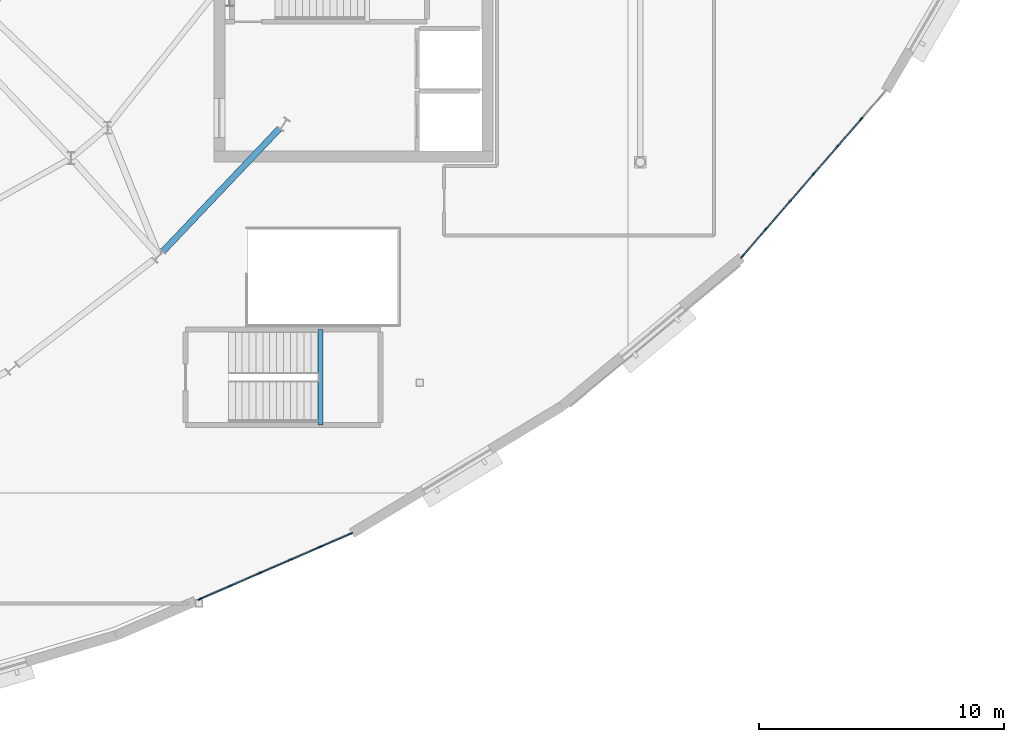
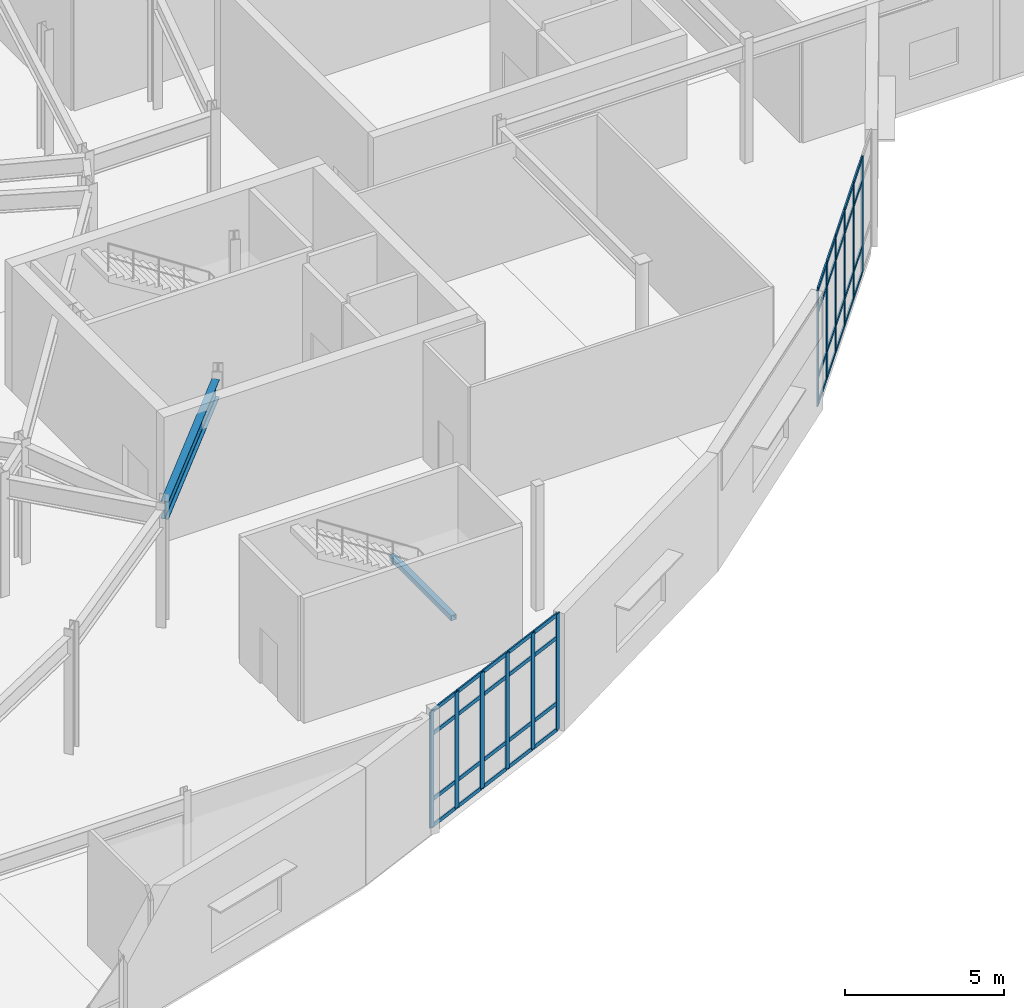
# One storey, part 48 of 86: 52 members, 2 beams, 2 elements without a shape of their own.
"""IFC4 building model written with IfcOpenShell, lengths in metres."""

from ifc_helpers import new_model, si_unit, direction, frame, origin, origin_2d, place, context, subcontext, project, spatial, rectangle, hollow_rectangle, i_section, extrude, material, material_profile, profile_set, type_object, element, aggregate, save


model = new_model("IFC4")

# Units and contexts
model_context = context("Model", 3, precision=1e-05, world=origin(), true_north=direction((0.0, 1.0)))
body_context = subcontext(model_context, "Body", "Model", "MODEL_VIEW")
ifc_project = project(units=[si_unit("LENGTHUNIT", "METRE"), si_unit("AREAUNIT", "SQUARE_METRE"), si_unit("VOLUMEUNIT", "CUBIC_METRE"), si_unit("PLANEANGLEUNIT", "RADIAN"), si_unit("MASSUNIT", "GRAM", prefix="KILO")], contexts=[model_context])

# Site, building, storey
site_placement = place(None, origin())
site = spatial("IfcSite", under=ifc_project, at=site_placement, CompositionType="ELEMENT")
building_placement = place(site_placement, origin())
building = spatial("IfcBuilding", under=site, at=building_placement, Name="Glasvene Arena", CompositionType="ELEMENT")
storey_placement = place(building_placement, frame((0.0, 0.0, 5.39990234375)))
storey = spatial("IfcBuildingStorey", under=building, at=storey_placement, Name="L01", CompositionType="ELEMENT", Elevation=5.39990234375)

# Beams
ifc_material_1 = material(Name="Steel S355J2", Category="steel")
ifc_material_profile_1 = material_profile(ifc_material_1, i_section(OverallWidth=0.253662109375, OverallDepth=0.68359375, WebThickness=0.012451171875, FlangeThickness=0.01904296875, FilletRadius=0.01513671875, at=origin_2d()), Name="UKB 686x254x140")
ifc_profile_set_1 = profile_set([ifc_material_profile_1], Name="Steel S355J2")
beam_type_1 = type_object("IfcBeamType", Name="BM-GIRD-686", PredefinedType="BEAM", material=ifc_profile_set_1)
beam_1_placement = place(storey_placement, frame((127.5205078125, 41.354248046875, 4.178466796875), z_axis=(0.688366558931, 0.725362999157, 0.0), x_axis=(-0.725362999157, 0.688366558931, 0.0)))
element("IfcBeam", 1, at=beam_1_placement, inside=storey, type_object=beam_type_1, Name="Bowl ring chord beam L01-36", PredefinedType="BEAM", context=body_context, shape_type="SweptSolid", body=[
    extrude(i_section(OverallWidth=0.253662109375, OverallDepth=0.68359375, WebThickness=0.012451171875, FlangeThickness=0.01904296875, FilletRadius=0.01513671875, at=origin_2d()), origin(), (0.0, 0.0, 1.0), 6.92236328125),
])
ifc_material_profile_2 = material_profile(ifc_material_1, hollow_rectangle(XDim=0.199951171875, YDim=0.199951171875, WallThickness=0.010009765625, at=origin_2d()), Name="SHS 200x200x10.0")
ifc_profile_set_2 = profile_set([ifc_material_profile_2], Name="Steel S355J2")
beam_type_2 = type_object("IfcBeamType", Name="BM-LINTEL-200", PredefinedType="LINTEL", material=ifc_profile_set_2)
beam_2_placement = place(storey_placement, frame((133.9599609375, 34.280029296875, 2.080078125), z_axis=(0.0, 1.0, 0.0), x_axis=(-1.0, 0.0, 0.0)))
element("IfcBeam", 2, at=beam_2_placement, inside=storey, type_object=beam_type_2, Name="Stair half-landing support beam ST-06-L01", PredefinedType="LINTEL", context=body_context, shape_type="SweptSolid", body=[
    extrude(hollow_rectangle(XDim=0.199951171875, YDim=0.199951171875, WallThickness=0.010009765625, at=origin_2d()), origin(), (0.0, 0.0, 1.0), 3.889892578125),
])

# Curtain wall, members
ifc_material_2 = material(Name="Low-emissivity laminated double glazing", Category="glass")
curtain_wall_type_1 = type_object("IfcCurtainWallType", Name="CW-FAC-L01-892x446", PredefinedType="USERDEFINED", material=ifc_material_2)
curtain_wall_1_placement = place(storey_placement, frame((156.99267578125, 47.884521484375, 0.0)))
curtain_wall_1 = element("IfcCurtainWall", 3, at=curtain_wall_1_placement, inside=storey, type_object=curtain_wall_type_1, Name="Unitised curtain wall CW-F-L01-180-1541-445-34", ObjectType="CURTAIN WALL", PredefinedType="USERDEFINED")
ifc_material_3 = material(Name="Anodised architectural aluminium", Category="aluminium")
ifc_material_profile_3 = material_profile(ifc_material_3, rectangle(XDim=0.050048828125, YDim=0.199951171875, at=origin_2d()), Name="ALU MULLION 50x200")
ifc_profile_set_3 = profile_set([ifc_material_profile_3], Name="Anodised architectural aluminium")
member_type_1 = type_object("IfcMemberType", Name="CW-MUL-180", PredefinedType="MULLION", material=ifc_profile_set_3)
member_1_placement = place(storey_placement, frame((156.01953125, 46.760498046875, 0.06005859375), z_axis=(0.0, 0.0, 1.0), x_axis=(0.755995293066, -0.65457705189, 0.0)))
member_1 = element("IfcMember", 4, at=member_1_placement, type_object=member_type_1, Name="CW-010 mullion 2", PredefinedType="MULLION", context=body_context, shape_type="SweptSolid", body=[
    extrude(rectangle(XDim=0.050048828125, YDim=0.199951171875, at=origin_2d()), origin(), (0.0, 0.0, 1.0), 4.4599609375),
])
member_2_placement = place(storey_placement, frame((155.04638671875, 45.63671875, 0.06005859375), z_axis=(0.0, 0.0, 1.0), x_axis=(0.755995293066, -0.65457705189, 0.0)))
member_2 = element("IfcMember", 5, at=member_2_placement, type_object=member_type_1, Name="CW-010 mullion 3", PredefinedType="MULLION", context=body_context, shape_type="SweptSolid", body=[
    extrude(rectangle(XDim=0.050048828125, YDim=0.199951171875, at=origin_2d()), origin(), (0.0, 0.0, 1.0), 4.4599609375),
])
member_3_placement = place(storey_placement, frame((154.0732421875, 44.512939453125, 0.06005859375), z_axis=(0.0, 0.0, 1.0), x_axis=(0.755995293066, -0.65457705189, 0.0)))
member_3 = element("IfcMember", 6, at=member_3_placement, type_object=member_type_1, Name="CW-010 mullion 4", PredefinedType="MULLION", context=body_context, shape_type="SweptSolid", body=[
    extrude(rectangle(XDim=0.050048828125, YDim=0.199951171875, at=origin_2d()), origin(), (0.0, 0.0, 1.0), 4.4599609375),
])
member_4_placement = place(storey_placement, frame((153.100341796875, 43.388916015625, 0.06005859375), z_axis=(0.0, 0.0, 1.0), x_axis=(0.755995293066, -0.65457705189, 0.0)))
member_4 = element("IfcMember", 7, at=member_4_placement, type_object=member_type_1, Name="CW-010 mullion 5", PredefinedType="MULLION", context=body_context, shape_type="SweptSolid", body=[
    extrude(rectangle(XDim=0.050048828125, YDim=0.199951171875, at=origin_2d()), origin(), (0.0, 0.0, 1.0), 4.4599609375),
])
member_5_placement = place(storey_placement, frame((152.127197265625, 42.26513671875, 0.06005859375), z_axis=(0.0, 0.0, 1.0), x_axis=(0.755995293066, -0.65457705189, 0.0)))
member_5 = element("IfcMember", 8, at=member_5_placement, type_object=member_type_1, Name="CW-010 mullion 6", PredefinedType="MULLION", context=body_context, shape_type="SweptSolid", body=[
    extrude(rectangle(XDim=0.050048828125, YDim=0.199951171875, at=origin_2d()), origin(), (0.0, 0.0, 1.0), 4.4599609375),
])
member_6_placement = place(storey_placement, frame((151.17041015625, 41.16015625, 0.06005859375), z_axis=(0.0, 0.0, 1.0), x_axis=(0.755995293066, -0.65457705189, 0.0)))
member_6 = element("IfcMember", 9, at=member_6_placement, type_object=member_type_1, Name="CW-010 mullion 7", PredefinedType="MULLION", context=body_context, shape_type="SweptSolid", body=[
    extrude(rectangle(XDim=0.050048828125, YDim=0.199951171875, at=origin_2d()), origin(), (0.0, 0.0, 1.0), 4.4599609375),
])

curtain_wall_type_2 = type_object("IfcCurtainWallType", Name="CW-FAC-L01-673x446", PredefinedType="USERDEFINED", material=ifc_material_2)
curtain_wall_2_placement = place(storey_placement, frame((135.19580078125, 29.845703125, 0.0)))
curtain_wall_2 = element("IfcCurtainWall", 10, at=curtain_wall_2_placement, inside=storey, type_object=curtain_wall_type_2, Name="Unitised curtain wall CW-F-L01-180-1321-285-37", ObjectType="CURTAIN WALL", PredefinedType="USERDEFINED")
member_7_placement = place(storey_placement, frame((135.1728515625, 29.835693359375, 0.06005859375), z_axis=(0.0, 0.0, 1.0), x_axis=(0.397889733218, -0.917433245637, 0.0)))
member_7 = element("IfcMember", 11, at=member_7_placement, type_object=member_type_1, Name="CW-011 mullion 1", PredefinedType="MULLION", context=body_context, shape_type="SweptSolid", body=[
    extrude(rectangle(XDim=0.050048828125, YDim=0.199951171875, at=origin_2d()), origin(), (0.0, 0.0, 1.0), 4.4599609375),
])
member_8_placement = place(storey_placement, frame((133.9609375, 29.31005859375, 0.06005859375), z_axis=(0.0, 0.0, 1.0), x_axis=(0.397889733218, -0.917433245637, 0.0)))
member_8 = element("IfcMember", 12, at=member_8_placement, type_object=member_type_1, Name="CW-011 mullion 2", PredefinedType="MULLION", context=body_context, shape_type="SweptSolid", body=[
    extrude(rectangle(XDim=0.050048828125, YDim=0.199951171875, at=origin_2d()), origin(), (0.0, 0.0, 1.0), 4.4599609375),
])
member_9_placement = place(storey_placement, frame((132.72607421875, 28.7744140625, 0.06005859375), z_axis=(0.0, 0.0, 1.0), x_axis=(0.397889733218, -0.917433245637, 0.0)))
member_9 = element("IfcMember", 13, at=member_9_placement, type_object=member_type_1, Name="CW-011 mullion 3", PredefinedType="MULLION", context=body_context, shape_type="SweptSolid", body=[
    extrude(rectangle(XDim=0.050048828125, YDim=0.199951171875, at=origin_2d()), origin(), (0.0, 0.0, 1.0), 4.4599609375),
])
member_10_placement = place(storey_placement, frame((131.4912109375, 28.239013671875, 0.06005859375), z_axis=(0.0, 0.0, 1.0), x_axis=(0.397889733218, -0.917433245637, 0.0)))
member_10 = element("IfcMember", 14, at=member_10_placement, type_object=member_type_1, Name="CW-011 mullion 4", PredefinedType="MULLION", context=body_context, shape_type="SweptSolid", body=[
    extrude(rectangle(XDim=0.050048828125, YDim=0.199951171875, at=origin_2d()), origin(), (0.0, 0.0, 1.0), 4.4599609375),
])
member_11_placement = place(storey_placement, frame((130.25634765625, 27.703369140625, 0.06005859375), z_axis=(0.0, 0.0, 1.0), x_axis=(0.397889733218, -0.917433245637, 0.0)))
member_11 = element("IfcMember", 15, at=member_11_placement, type_object=member_type_1, Name="CW-011 mullion 5", PredefinedType="MULLION", context=body_context, shape_type="SweptSolid", body=[
    extrude(rectangle(XDim=0.050048828125, YDim=0.199951171875, at=origin_2d()), origin(), (0.0, 0.0, 1.0), 4.4599609375),
])
member_12_placement = place(storey_placement, frame((129.04443359375, 27.177734375, 0.06005859375), z_axis=(0.0, 0.0, 1.0), x_axis=(0.397889733218, -0.917433245637, 0.0)))
member_12 = element("IfcMember", 16, at=member_12_placement, type_object=member_type_1, Name="CW-011 mullion 6", PredefinedType="MULLION", context=body_context, shape_type="SweptSolid", body=[
    extrude(rectangle(XDim=0.050048828125, YDim=0.199951171875, at=origin_2d()), origin(), (0.0, 0.0, 1.0), 4.4599609375),
])

# Member
ifc_material_profile_4 = material_profile(ifc_material_3, rectangle(XDim=0.050048828125, YDim=0.14990234375, at=origin_2d()), Name="ALU TRANSOM 50x150")
ifc_profile_set_4 = profile_set([ifc_material_profile_4], Name="Anodised architectural aluminium")
member_type_2 = type_object("IfcMemberType", Name="CW-TRN-150", PredefinedType="USERDEFINED", material=ifc_profile_set_4)
member_13_placement = place(storey_placement, frame((156.003173828125, 46.74169921875, 0.085205078125), z_axis=(-0.654561708592, -0.756008577759, 0.0), x_axis=(0.756008577759, -0.654561708592, 0.0)))
member_13 = element("IfcMember", 17, at=member_13_placement, type_object=member_type_2, Name="CW-010 transom 2.1", ObjectType="TRANSOM", PredefinedType="USERDEFINED", context=body_context, shape_type="SweptSolid", body=[
    extrude(rectangle(XDim=0.050048828125, YDim=0.14990234375, at=origin_2d()), origin(), (0.0, 0.0, 1.0), 1.436767578125),
])

member_14_placement = place(storey_placement, frame((156.003173828125, 46.74169921875, 1.10009765625), z_axis=(-0.654561708592, -0.756008577759, 0.0), x_axis=(0.756008577759, -0.654561708592, 0.0)))
member_14 = element("IfcMember", 18, at=member_14_placement, type_object=member_type_2, Name="CW-010 transom 2.2", ObjectType="TRANSOM", PredefinedType="USERDEFINED", context=body_context, shape_type="SweptSolid", body=[
    extrude(rectangle(XDim=0.050048828125, YDim=0.14990234375, at=origin_2d()), origin(), (0.0, 0.0, 1.0), 1.436767578125),
])

member_15_placement = place(storey_placement, frame((156.003173828125, 46.74169921875, 3.6201171875), z_axis=(-0.654561708592, -0.756008577759, 0.0), x_axis=(0.756008577759, -0.654561708592, 0.0)))
member_15 = element("IfcMember", 19, at=member_15_placement, type_object=member_type_2, Name="CW-010 transom 2.3", ObjectType="TRANSOM", PredefinedType="USERDEFINED", context=body_context, shape_type="SweptSolid", body=[
    extrude(rectangle(XDim=0.050048828125, YDim=0.14990234375, at=origin_2d()), origin(), (0.0, 0.0, 1.0), 1.436767578125),
])

member_16_placement = place(storey_placement, frame((156.003173828125, 46.74169921875, 4.4951171875), z_axis=(-0.654561708592, -0.756008577759, 0.0), x_axis=(0.756008577759, -0.654561708592, 0.0)))
member_16 = element("IfcMember", 20, at=member_16_placement, type_object=member_type_2, Name="CW-010 transom 2.4", ObjectType="TRANSOM", PredefinedType="USERDEFINED", context=body_context, shape_type="SweptSolid", body=[
    extrude(rectangle(XDim=0.050048828125, YDim=0.14990234375, at=origin_2d()), origin(), (0.0, 0.0, 1.0), 1.436767578125),
])

member_17_placement = place(storey_placement, frame((155.030029296875, 45.617919921875, 0.085205078125), z_axis=(-0.654561708592, -0.756008577759, 0.0), x_axis=(0.756008577759, -0.654561708592, 0.0)))
member_17 = element("IfcMember", 21, at=member_17_placement, type_object=member_type_2, Name="CW-010 transom 3.1", ObjectType="TRANSOM", PredefinedType="USERDEFINED", context=body_context, shape_type="SweptSolid", body=[
    extrude(rectangle(XDim=0.050048828125, YDim=0.14990234375, at=origin_2d()), origin(), (0.0, 0.0, 1.0), 1.436767578125),
])

member_18_placement = place(storey_placement, frame((155.030029296875, 45.617919921875, 1.10009765625), z_axis=(-0.654561708592, -0.756008577759, 0.0), x_axis=(0.756008577759, -0.654561708592, 0.0)))
member_18 = element("IfcMember", 22, at=member_18_placement, type_object=member_type_2, Name="CW-010 transom 3.2", ObjectType="TRANSOM", PredefinedType="USERDEFINED", context=body_context, shape_type="SweptSolid", body=[
    extrude(rectangle(XDim=0.050048828125, YDim=0.14990234375, at=origin_2d()), origin(), (0.0, 0.0, 1.0), 1.436767578125),
])

member_19_placement = place(storey_placement, frame((155.030029296875, 45.617919921875, 3.6201171875), z_axis=(-0.654561708592, -0.756008577759, 0.0), x_axis=(0.756008577759, -0.654561708592, 0.0)))
member_19 = element("IfcMember", 23, at=member_19_placement, type_object=member_type_2, Name="CW-010 transom 3.3", ObjectType="TRANSOM", PredefinedType="USERDEFINED", context=body_context, shape_type="SweptSolid", body=[
    extrude(rectangle(XDim=0.050048828125, YDim=0.14990234375, at=origin_2d()), origin(), (0.0, 0.0, 1.0), 1.436767578125),
])

member_20_placement = place(storey_placement, frame((155.030029296875, 45.617919921875, 4.4951171875), z_axis=(-0.654561708592, -0.756008577759, 0.0), x_axis=(0.756008577759, -0.654561708592, 0.0)))
member_20 = element("IfcMember", 24, at=member_20_placement, type_object=member_type_2, Name="CW-010 transom 3.4", ObjectType="TRANSOM", PredefinedType="USERDEFINED", context=body_context, shape_type="SweptSolid", body=[
    extrude(rectangle(XDim=0.050048828125, YDim=0.14990234375, at=origin_2d()), origin(), (0.0, 0.0, 1.0), 1.436767578125),
])

member_21_placement = place(storey_placement, frame((154.056884765625, 44.493896484375, 0.085205078125), z_axis=(-0.654548672812, -0.756019864104, 0.0), x_axis=(0.756019864104, -0.654548672812, 0.0)))
member_21 = element("IfcMember", 25, at=member_21_placement, type_object=member_type_2, Name="CW-010 transom 4.1", ObjectType="TRANSOM", PredefinedType="USERDEFINED", context=body_context, shape_type="SweptSolid", body=[
    extrude(rectangle(XDim=0.050048828125, YDim=0.14990234375, at=origin_2d()), origin(), (0.0, 0.0, 1.0), 1.436279296875),
])

member_22_placement = place(storey_placement, frame((154.056884765625, 44.493896484375, 1.10009765625), z_axis=(-0.654548672812, -0.756019864104, 0.0), x_axis=(0.756019864104, -0.654548672812, 0.0)))
member_22 = element("IfcMember", 26, at=member_22_placement, type_object=member_type_2, Name="CW-010 transom 4.2", ObjectType="TRANSOM", PredefinedType="USERDEFINED", context=body_context, shape_type="SweptSolid", body=[
    extrude(rectangle(XDim=0.050048828125, YDim=0.14990234375, at=origin_2d()), origin(), (0.0, 0.0, 1.0), 1.436279296875),
])

member_23_placement = place(storey_placement, frame((154.056884765625, 44.493896484375, 3.6201171875), z_axis=(-0.654548672812, -0.756019864104, 0.0), x_axis=(0.756019864104, -0.654548672812, 0.0)))
member_23 = element("IfcMember", 27, at=member_23_placement, type_object=member_type_2, Name="CW-010 transom 4.3", ObjectType="TRANSOM", PredefinedType="USERDEFINED", context=body_context, shape_type="SweptSolid", body=[
    extrude(rectangle(XDim=0.050048828125, YDim=0.14990234375, at=origin_2d()), origin(), (0.0, 0.0, 1.0), 1.436279296875),
])

member_24_placement = place(storey_placement, frame((154.056884765625, 44.493896484375, 4.4951171875), z_axis=(-0.654548672812, -0.756019864104, 0.0), x_axis=(0.756019864104, -0.654548672812, 0.0)))
member_24 = element("IfcMember", 28, at=member_24_placement, type_object=member_type_2, Name="CW-010 transom 4.4", ObjectType="TRANSOM", PredefinedType="USERDEFINED", context=body_context, shape_type="SweptSolid", body=[
    extrude(rectangle(XDim=0.050048828125, YDim=0.14990234375, at=origin_2d()), origin(), (0.0, 0.0, 1.0), 1.436279296875),
])

member_25_placement = place(storey_placement, frame((153.083984375, 43.3701171875, 0.085205078125), z_axis=(-0.654561708592, -0.756008577759, 0.0), x_axis=(0.756008577759, -0.654561708592, 0.0)))
member_25 = element("IfcMember", 29, at=member_25_placement, type_object=member_type_2, Name="CW-010 transom 5.1", ObjectType="TRANSOM", PredefinedType="USERDEFINED", context=body_context, shape_type="SweptSolid", body=[
    extrude(rectangle(XDim=0.050048828125, YDim=0.14990234375, at=origin_2d()), origin(), (0.0, 0.0, 1.0), 1.436767578125),
])

member_26_placement = place(storey_placement, frame((153.083984375, 43.3701171875, 1.10009765625), z_axis=(-0.654561708592, -0.756008577759, 0.0), x_axis=(0.756008577759, -0.654561708592, 0.0)))
member_26 = element("IfcMember", 30, at=member_26_placement, type_object=member_type_2, Name="CW-010 transom 5.2", ObjectType="TRANSOM", PredefinedType="USERDEFINED", context=body_context, shape_type="SweptSolid", body=[
    extrude(rectangle(XDim=0.050048828125, YDim=0.14990234375, at=origin_2d()), origin(), (0.0, 0.0, 1.0), 1.436767578125),
])

member_27_placement = place(storey_placement, frame((153.083984375, 43.3701171875, 3.6201171875), z_axis=(-0.654561708592, -0.756008577759, 0.0), x_axis=(0.756008577759, -0.654561708592, 0.0)))
member_27 = element("IfcMember", 31, at=member_27_placement, type_object=member_type_2, Name="CW-010 transom 5.3", ObjectType="TRANSOM", PredefinedType="USERDEFINED", context=body_context, shape_type="SweptSolid", body=[
    extrude(rectangle(XDim=0.050048828125, YDim=0.14990234375, at=origin_2d()), origin(), (0.0, 0.0, 1.0), 1.436767578125),
])

member_28_placement = place(storey_placement, frame((153.083984375, 43.3701171875, 4.4951171875), z_axis=(-0.654561708592, -0.756008577759, 0.0), x_axis=(0.756008577759, -0.654561708592, 0.0)))
member_28 = element("IfcMember", 32, at=member_28_placement, type_object=member_type_2, Name="CW-010 transom 5.4", ObjectType="TRANSOM", PredefinedType="USERDEFINED", context=body_context, shape_type="SweptSolid", body=[
    extrude(rectangle(XDim=0.050048828125, YDim=0.14990234375, at=origin_2d()), origin(), (0.0, 0.0, 1.0), 1.436767578125),
])

member_29_placement = place(storey_placement, frame((152.11083984375, 42.246337890625, 0.085205078125), z_axis=(-0.654614431015, -0.755962926807, 0.0), x_axis=(0.755962926807, -0.654614431015, 0.0)))
member_29 = element("IfcMember", 33, at=member_29_placement, type_object=member_type_2, Name="CW-010 transom 6.1", ObjectType="TRANSOM", PredefinedType="USERDEFINED", context=body_context, shape_type="SweptSolid", body=[
    extrude(rectangle(XDim=0.050048828125, YDim=0.14990234375, at=origin_2d()), origin(), (0.0, 0.0, 1.0), 1.41162109375),
])

member_30_placement = place(storey_placement, frame((152.11083984375, 42.246337890625, 1.10009765625), z_axis=(-0.654614431015, -0.755962926807, 0.0), x_axis=(0.755962926807, -0.654614431015, 0.0)))
member_30 = element("IfcMember", 34, at=member_30_placement, type_object=member_type_2, Name="CW-010 transom 6.2", ObjectType="TRANSOM", PredefinedType="USERDEFINED", context=body_context, shape_type="SweptSolid", body=[
    extrude(rectangle(XDim=0.050048828125, YDim=0.14990234375, at=origin_2d()), origin(), (0.0, 0.0, 1.0), 1.41162109375),
])

member_31_placement = place(storey_placement, frame((152.11083984375, 42.246337890625, 3.6201171875), z_axis=(-0.654614431015, -0.755962926807, 0.0), x_axis=(0.755962926807, -0.654614431015, 0.0)))
member_31 = element("IfcMember", 35, at=member_31_placement, type_object=member_type_2, Name="CW-010 transom 6.3", ObjectType="TRANSOM", PredefinedType="USERDEFINED", context=body_context, shape_type="SweptSolid", body=[
    extrude(rectangle(XDim=0.050048828125, YDim=0.14990234375, at=origin_2d()), origin(), (0.0, 0.0, 1.0), 1.41162109375),
])

member_32_placement = place(storey_placement, frame((152.11083984375, 42.246337890625, 4.4951171875), z_axis=(-0.654614431015, -0.755962926807, 0.0), x_axis=(0.755962926807, -0.654614431015, 0.0)))
member_32 = element("IfcMember", 36, at=member_32_placement, type_object=member_type_2, Name="CW-010 transom 6.4", ObjectType="TRANSOM", PredefinedType="USERDEFINED", context=body_context, shape_type="SweptSolid", body=[
    extrude(rectangle(XDim=0.050048828125, YDim=0.14990234375, at=origin_2d()), origin(), (0.0, 0.0, 1.0), 1.41162109375),
])

aggregate(curtain_wall_1, [member_1, member_2, member_3, member_4, member_5, member_6, member_13, member_14, member_15, member_16, member_17, member_18, member_19, member_20, member_21, member_22, member_23, member_24, member_25, member_26, member_27, member_28, member_29, member_30, member_31, member_32])

member_33_placement = place(storey_placement, frame((135.14990234375, 29.82568359375, 0.085205078125), z_axis=(-0.917457482112, -0.397833845363, 0.0), x_axis=(0.397833845363, -0.917457482112, 0.0)))
member_33 = element("IfcMember", 37, at=member_33_placement, type_object=member_type_2, Name="CW-011 transom 1.1", ObjectType="TRANSOM", PredefinedType="USERDEFINED", context=body_context, shape_type="SweptSolid", body=[
    extrude(rectangle(XDim=0.050048828125, YDim=0.14990234375, at=origin_2d()), origin(), (0.0, 0.0, 1.0), 1.27099609375),
])

member_34_placement = place(storey_placement, frame((135.14990234375, 29.82568359375, 1.10009765625), z_axis=(-0.917457482112, -0.397833845363, 0.0), x_axis=(0.397833845363, -0.917457482112, 0.0)))
member_34 = element("IfcMember", 38, at=member_34_placement, type_object=member_type_2, Name="CW-011 transom 1.2", ObjectType="TRANSOM", PredefinedType="USERDEFINED", context=body_context, shape_type="SweptSolid", body=[
    extrude(rectangle(XDim=0.050048828125, YDim=0.14990234375, at=origin_2d()), origin(), (0.0, 0.0, 1.0), 1.27099609375),
])

member_35_placement = place(storey_placement, frame((135.14990234375, 29.82568359375, 3.6201171875), z_axis=(-0.917457482112, -0.397833845363, 0.0), x_axis=(0.397833845363, -0.917457482112, 0.0)))
member_35 = element("IfcMember", 39, at=member_35_placement, type_object=member_type_2, Name="CW-011 transom 1.3", ObjectType="TRANSOM", PredefinedType="USERDEFINED", context=body_context, shape_type="SweptSolid", body=[
    extrude(rectangle(XDim=0.050048828125, YDim=0.14990234375, at=origin_2d()), origin(), (0.0, 0.0, 1.0), 1.27099609375),
])

member_36_placement = place(storey_placement, frame((135.14990234375, 29.82568359375, 4.4951171875), z_axis=(-0.917457482112, -0.397833845363, 0.0), x_axis=(0.397833845363, -0.917457482112, 0.0)))
member_36 = element("IfcMember", 40, at=member_36_placement, type_object=member_type_2, Name="CW-011 transom 1.4", ObjectType="TRANSOM", PredefinedType="USERDEFINED", context=body_context, shape_type="SweptSolid", body=[
    extrude(rectangle(XDim=0.050048828125, YDim=0.14990234375, at=origin_2d()), origin(), (0.0, 0.0, 1.0), 1.27099609375),
])

member_37_placement = place(storey_placement, frame((133.93798828125, 29.300048828125, 0.085205078125), z_axis=(-0.917441039934, -0.397871761055, 0.0), x_axis=(0.397871761055, -0.917441039934, 0.0)))
member_37 = element("IfcMember", 41, at=member_37_placement, type_object=member_type_2, Name="CW-011 transom 2.1", ObjectType="TRANSOM", PredefinedType="USERDEFINED", context=body_context, shape_type="SweptSolid", body=[
    extrude(rectangle(XDim=0.050048828125, YDim=0.14990234375, at=origin_2d()), origin(), (0.0, 0.0, 1.0), 1.2958984375),
])

member_38_placement = place(storey_placement, frame((133.93798828125, 29.300048828125, 1.10009765625), z_axis=(-0.917441039934, -0.397871761055, 0.0), x_axis=(0.397871761055, -0.917441039934, 0.0)))
member_38 = element("IfcMember", 42, at=member_38_placement, type_object=member_type_2, Name="CW-011 transom 2.2", ObjectType="TRANSOM", PredefinedType="USERDEFINED", context=body_context, shape_type="SweptSolid", body=[
    extrude(rectangle(XDim=0.050048828125, YDim=0.14990234375, at=origin_2d()), origin(), (0.0, 0.0, 1.0), 1.2958984375),
])

member_39_placement = place(storey_placement, frame((133.93798828125, 29.300048828125, 3.6201171875), z_axis=(-0.917441039934, -0.397871761055, 0.0), x_axis=(0.397871761055, -0.917441039934, 0.0)))
member_39 = element("IfcMember", 43, at=member_39_placement, type_object=member_type_2, Name="CW-011 transom 2.3", ObjectType="TRANSOM", PredefinedType="USERDEFINED", context=body_context, shape_type="SweptSolid", body=[
    extrude(rectangle(XDim=0.050048828125, YDim=0.14990234375, at=origin_2d()), origin(), (0.0, 0.0, 1.0), 1.2958984375),
])

member_40_placement = place(storey_placement, frame((133.93798828125, 29.300048828125, 4.4951171875), z_axis=(-0.917441039934, -0.397871761055, 0.0), x_axis=(0.397871761055, -0.917441039934, 0.0)))
member_40 = element("IfcMember", 44, at=member_40_placement, type_object=member_type_2, Name="CW-011 transom 2.4", ObjectType="TRANSOM", PredefinedType="USERDEFINED", context=body_context, shape_type="SweptSolid", body=[
    extrude(rectangle(XDim=0.050048828125, YDim=0.14990234375, at=origin_2d()), origin(), (0.0, 0.0, 1.0), 1.2958984375),
])

member_41_placement = place(storey_placement, frame((132.703125, 28.7646484375, 0.085205078125), z_axis=(-0.917441039934, -0.397871761055, 0.0), x_axis=(0.397871761055, -0.917441039934, 0.0)))
member_41 = element("IfcMember", 45, at=member_41_placement, type_object=member_type_2, Name="CW-011 transom 3.1", ObjectType="TRANSOM", PredefinedType="USERDEFINED", context=body_context, shape_type="SweptSolid", body=[
    extrude(rectangle(XDim=0.050048828125, YDim=0.14990234375, at=origin_2d()), origin(), (0.0, 0.0, 1.0), 1.2958984375),
])

member_42_placement = place(storey_placement, frame((132.703125, 28.7646484375, 1.10009765625), z_axis=(-0.917441039934, -0.397871761055, 0.0), x_axis=(0.397871761055, -0.917441039934, 0.0)))
member_42 = element("IfcMember", 46, at=member_42_placement, type_object=member_type_2, Name="CW-011 transom 3.2", ObjectType="TRANSOM", PredefinedType="USERDEFINED", context=body_context, shape_type="SweptSolid", body=[
    extrude(rectangle(XDim=0.050048828125, YDim=0.14990234375, at=origin_2d()), origin(), (0.0, 0.0, 1.0), 1.2958984375),
])

member_43_placement = place(storey_placement, frame((132.703125, 28.7646484375, 3.6201171875), z_axis=(-0.917441039934, -0.397871761055, 0.0), x_axis=(0.397871761055, -0.917441039934, 0.0)))
member_43 = element("IfcMember", 47, at=member_43_placement, type_object=member_type_2, Name="CW-011 transom 3.3", ObjectType="TRANSOM", PredefinedType="USERDEFINED", context=body_context, shape_type="SweptSolid", body=[
    extrude(rectangle(XDim=0.050048828125, YDim=0.14990234375, at=origin_2d()), origin(), (0.0, 0.0, 1.0), 1.2958984375),
])

member_44_placement = place(storey_placement, frame((132.703125, 28.7646484375, 4.4951171875), z_axis=(-0.917441039934, -0.397871761055, 0.0), x_axis=(0.397871761055, -0.917441039934, 0.0)))
member_44 = element("IfcMember", 48, at=member_44_placement, type_object=member_type_2, Name="CW-011 transom 3.4", ObjectType="TRANSOM", PredefinedType="USERDEFINED", context=body_context, shape_type="SweptSolid", body=[
    extrude(rectangle(XDim=0.050048828125, YDim=0.14990234375, at=origin_2d()), origin(), (0.0, 0.0, 1.0), 1.2958984375),
])

member_45_placement = place(storey_placement, frame((131.46826171875, 28.22900390625, 0.085205078125), z_axis=(-0.917441039934, -0.397871761055, 0.0), x_axis=(0.397871761055, -0.917441039934, 0.0)))
member_45 = element("IfcMember", 49, at=member_45_placement, type_object=member_type_2, Name="CW-011 transom 4.1", ObjectType="TRANSOM", PredefinedType="USERDEFINED", context=body_context, shape_type="SweptSolid", body=[
    extrude(rectangle(XDim=0.050048828125, YDim=0.14990234375, at=origin_2d()), origin(), (0.0, 0.0, 1.0), 1.2958984375),
])

member_46_placement = place(storey_placement, frame((131.46826171875, 28.22900390625, 1.10009765625), z_axis=(-0.917441039934, -0.397871761055, 0.0), x_axis=(0.397871761055, -0.917441039934, 0.0)))
member_46 = element("IfcMember", 50, at=member_46_placement, type_object=member_type_2, Name="CW-011 transom 4.2", ObjectType="TRANSOM", PredefinedType="USERDEFINED", context=body_context, shape_type="SweptSolid", body=[
    extrude(rectangle(XDim=0.050048828125, YDim=0.14990234375, at=origin_2d()), origin(), (0.0, 0.0, 1.0), 1.2958984375),
])

member_47_placement = place(storey_placement, frame((131.46826171875, 28.22900390625, 3.6201171875), z_axis=(-0.917441039934, -0.397871761055, 0.0), x_axis=(0.397871761055, -0.917441039934, 0.0)))
member_47 = element("IfcMember", 51, at=member_47_placement, type_object=member_type_2, Name="CW-011 transom 4.3", ObjectType="TRANSOM", PredefinedType="USERDEFINED", context=body_context, shape_type="SweptSolid", body=[
    extrude(rectangle(XDim=0.050048828125, YDim=0.14990234375, at=origin_2d()), origin(), (0.0, 0.0, 1.0), 1.2958984375),
])

member_48_placement = place(storey_placement, frame((131.46826171875, 28.22900390625, 4.4951171875), z_axis=(-0.917441039934, -0.397871761055, 0.0), x_axis=(0.397871761055, -0.917441039934, 0.0)))
member_48 = element("IfcMember", 52, at=member_48_placement, type_object=member_type_2, Name="CW-011 transom 4.4", ObjectType="TRANSOM", PredefinedType="USERDEFINED", context=body_context, shape_type="SweptSolid", body=[
    extrude(rectangle(XDim=0.050048828125, YDim=0.14990234375, at=origin_2d()), origin(), (0.0, 0.0, 1.0), 1.2958984375),
])

member_49_placement = place(storey_placement, frame((130.2333984375, 27.693603515625, 0.085205078125), z_axis=(-0.917387358489, -0.397995520684, 0.0), x_axis=(0.397995520684, -0.917387358489, 0.0)))
member_49 = element("IfcMember", 53, at=member_49_placement, type_object=member_type_2, Name="CW-011 transom 5.1", ObjectType="TRANSOM", PredefinedType="USERDEFINED", context=body_context, shape_type="SweptSolid", body=[
    extrude(rectangle(XDim=0.050048828125, YDim=0.14990234375, at=origin_2d()), origin(), (0.0, 0.0, 1.0), 1.27099609375),
])

member_50_placement = place(storey_placement, frame((130.2333984375, 27.693603515625, 1.10009765625), z_axis=(-0.917387358489, -0.397995520684, 0.0), x_axis=(0.397995520684, -0.917387358489, 0.0)))
member_50 = element("IfcMember", 54, at=member_50_placement, type_object=member_type_2, Name="CW-011 transom 5.2", ObjectType="TRANSOM", PredefinedType="USERDEFINED", context=body_context, shape_type="SweptSolid", body=[
    extrude(rectangle(XDim=0.050048828125, YDim=0.14990234375, at=origin_2d()), origin(), (0.0, 0.0, 1.0), 1.27099609375),
])

member_51_placement = place(storey_placement, frame((130.2333984375, 27.693603515625, 3.6201171875), z_axis=(-0.917387358489, -0.397995520684, 0.0), x_axis=(0.397995520684, -0.917387358489, 0.0)))
member_51 = element("IfcMember", 55, at=member_51_placement, type_object=member_type_2, Name="CW-011 transom 5.3", ObjectType="TRANSOM", PredefinedType="USERDEFINED", context=body_context, shape_type="SweptSolid", body=[
    extrude(rectangle(XDim=0.050048828125, YDim=0.14990234375, at=origin_2d()), origin(), (0.0, 0.0, 1.0), 1.27099609375),
])

member_52_placement = place(storey_placement, frame((130.2333984375, 27.693603515625, 4.4951171875), z_axis=(-0.917387358489, -0.397995520684, 0.0), x_axis=(0.397995520684, -0.917387358489, 0.0)))
member_52 = element("IfcMember", 56, at=member_52_placement, type_object=member_type_2, Name="CW-011 transom 5.4", ObjectType="TRANSOM", PredefinedType="USERDEFINED", context=body_context, shape_type="SweptSolid", body=[
    extrude(rectangle(XDim=0.050048828125, YDim=0.14990234375, at=origin_2d()), origin(), (0.0, 0.0, 1.0), 1.27099609375),
])

aggregate(curtain_wall_2, [member_7, member_8, member_9, member_10, member_11, member_12, member_33, member_34, member_35, member_36, member_37, member_38, member_39, member_40, member_41, member_42, member_43, member_44, member_45, member_46, member_47, member_48, member_49, member_50, member_51, member_52])

save(model, "model.ifc")
